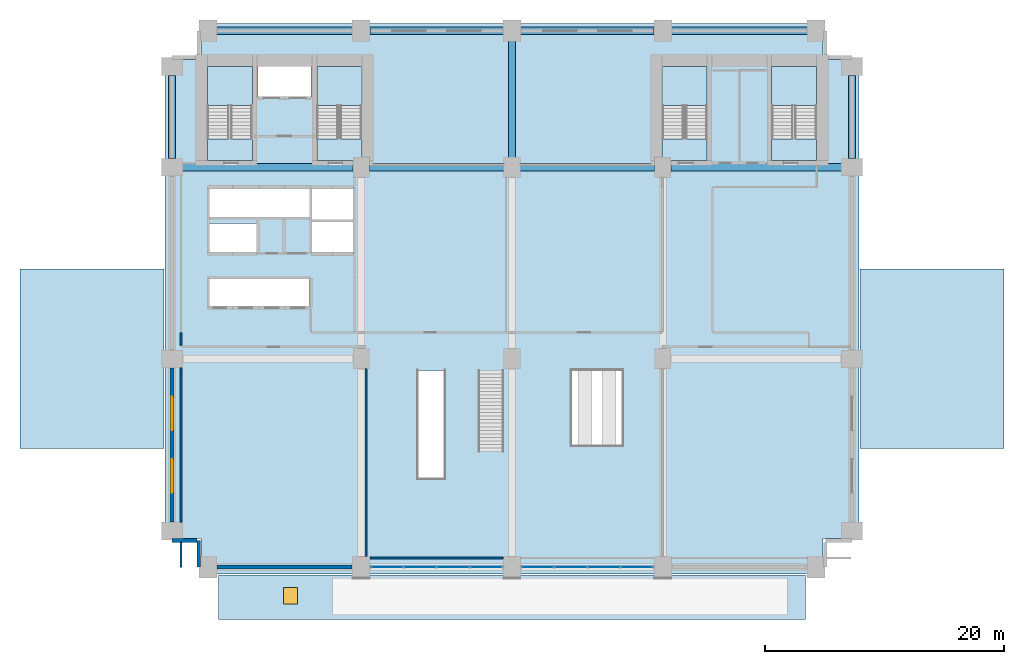
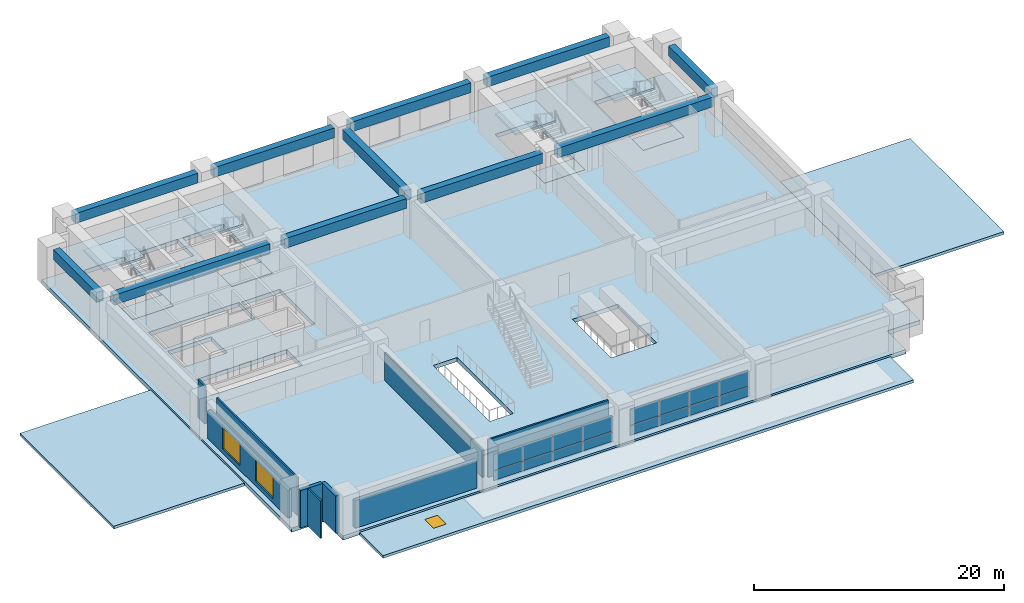
# One storey, part 4 of 11: 16 plates, 12 slabs, 11 beams, 9 walls, 3 windows, 3 openings, 6 elements without a shape of their own.
"""IFC4 building model written with IfcOpenShell, lengths in metres."""

from ifc_helpers import new_model, si_unit, direction, frame, frame_2d, origin, origin_2d, place, context, subcontext, project, spatial, polyline, rectangle, outline, extrude, material, layer, layer_set, material_profile, profile_set, type_object, element, fill, aggregate, save


model = new_model("IFC4")

# Units and contexts
model_context = context("Model", 3, precision=1e-05, world=origin(), true_north=direction((0.0, 1.0)))
body_context = subcontext(model_context, "Body", "Model", "MODEL_VIEW")
ifc_project = project(units=[si_unit("LENGTHUNIT", "METRE"), si_unit("AREAUNIT", "SQUARE_METRE"), si_unit("VOLUMEUNIT", "CUBIC_METRE"), si_unit("PLANEANGLEUNIT", "RADIAN"), si_unit("MASSUNIT", "GRAM", prefix="KILO")], contexts=[model_context])

# Site, building, storey
site_placement = place(None, origin())
site = spatial("IfcSite", under=ifc_project, at=site_placement, CompositionType="ELEMENT")
building_placement = place(site_placement, origin())
building = spatial("IfcBuilding", under=site, at=building_placement, Name="Sulina Concourse Tower", CompositionType="ELEMENT")
storey_placement = place(building_placement, frame((0.0, 0.0, 5.39990234375)))
storey = spatial("IfcBuildingStorey", under=building, at=storey_placement, Name="L01", CompositionType="ELEMENT", Elevation=5.39990234375)

# Beams
ifc_material_1 = material(Name="Concrete C60/75", Category="concrete")
ifc_material_profile = material_profile(ifc_material_1, rectangle(XDim=0.60009765625, YDim=0.949951171875, at=origin_2d()), Name="RC 600x950")
ifc_profile_set = profile_set([ifc_material_profile], Name="Concrete C60/75")
beam_type = type_object("IfcBeamType", Name="Basement & Podium Primary Beam 600x950", PredefinedType="BEAM", material=ifc_profile_set)
beam_1_placement = place(storey_placement, frame((4.330078125, 45.39990234375, 3.175048828125), z_axis=(1.0, 0.0, 0.0), x_axis=(0.0, 1.0, 0.0)))
element("IfcBeam", 1, at=beam_1_placement, inside=storey, type_object=beam_type, Name="PB-N1-L01", PredefinedType="BEAM", context=body_context, shape_type="SweptSolid", body=[
    extrude(rectangle(XDim=0.60009765625, YDim=0.949951171875, at=origin_2d()), origin(), (0.0, 0.0, 1.0), 11.33984375),
])
beam_2_placement = place(storey_placement, frame((1.330078125, 34.0, 3.175048828125), z_axis=(1.0, 0.0, 0.0), x_axis=(0.0, 1.0, 0.0)))
element("IfcBeam", 2, at=beam_2_placement, inside=storey, type_object=beam_type, Name="PB-C0-L01", PredefinedType="BEAM", context=body_context, shape_type="SweptSolid", body=[
    extrude(rectangle(XDim=0.60009765625, YDim=0.949951171875, at=origin_2d()), origin(), (0.0, 0.0, 1.0), 14.389892578125),
])
beam_3_placement = place(storey_placement, frame((17.1298828125, 45.39990234375, 3.175048828125), z_axis=(1.0, 0.0, 0.0), x_axis=(0.0, 1.0, 0.0)))
element("IfcBeam", 3, at=beam_3_placement, inside=storey, type_object=beam_type, Name="PB-N2-L01", PredefinedType="BEAM", context=body_context, shape_type="SweptSolid", body=[
    extrude(rectangle(XDim=0.60009765625, YDim=0.949951171875, at=origin_2d()), origin(), (0.0, 0.0, 1.0), 11.14013671875),
])
beam_4_placement = place(storey_placement, frame((17.080078125, 34.0, 3.175048828125), z_axis=(1.0, 0.0, 0.0), x_axis=(0.0, 1.0, 0.0)))
element("IfcBeam", 4, at=beam_4_placement, inside=storey, type_object=beam_type, Name="PB-C2-L01", PredefinedType="BEAM", context=body_context, shape_type="SweptSolid", body=[
    extrude(rectangle(XDim=0.60009765625, YDim=0.949951171875, at=origin_2d()), origin(), (0.0, 0.0, 1.0), 11.239990234375),
])
beam_5_placement = place(storey_placement, frame((29.72998046875, 45.39990234375, 3.175048828125), z_axis=(1.0, 0.0, 0.0), x_axis=(0.0, 1.0, 0.0)))
element("IfcBeam", 5, at=beam_5_placement, inside=storey, type_object=beam_type, Name="PB-N3-L01", PredefinedType="BEAM", context=body_context, shape_type="SweptSolid", body=[
    extrude(rectangle(XDim=0.60009765625, YDim=0.949951171875, at=origin_2d()), origin(), (0.0, 0.0, 1.0), 11.14013671875),
])
beam_6_placement = place(storey_placement, frame((29.679931640625, 34.0, 3.175048828125), z_axis=(1.0, 0.0, 0.0), x_axis=(0.0, 1.0, 0.0)))
element("IfcBeam", 6, at=beam_6_placement, inside=storey, type_object=beam_type, Name="PB-C3-L01", PredefinedType="BEAM", context=body_context, shape_type="SweptSolid", body=[
    extrude(rectangle(XDim=0.60009765625, YDim=0.949951171875, at=origin_2d()), origin(), (0.0, 0.0, 1.0), 11.239990234375),
])
beam_7_placement = place(storey_placement, frame((42.330078125, 45.39990234375, 3.175048828125), z_axis=(1.0, 0.0, 0.0), x_axis=(0.0, 1.0, 0.0)))
element("IfcBeam", 7, at=beam_7_placement, inside=storey, type_object=beam_type, Name="PB-N4-L01", PredefinedType="BEAM", context=body_context, shape_type="SweptSolid", body=[
    extrude(rectangle(XDim=0.60009765625, YDim=0.949951171875, at=origin_2d()), origin(), (0.0, 0.0, 1.0), 11.33984375),
])
beam_8_placement = place(storey_placement, frame((42.280029296875, 34.0, 3.175048828125), z_axis=(1.0, 0.0, 0.0), x_axis=(0.0, 1.0, 0.0)))
element("IfcBeam", 8, at=beam_8_placement, inside=storey, type_object=beam_type, Name="PB-C5-L01", PredefinedType="BEAM", context=body_context, shape_type="SweptSolid", body=[
    extrude(rectangle(XDim=0.60009765625, YDim=0.949951171875, at=origin_2d()), origin(), (0.0, 0.0, 1.0), 14.389892578125),
])
for number, where, z_axis, x_axis, name in (
    (9, (0.60009765625, 34.72998046875, 3.175048828125), (0.0, 1.0, 0.0), (-1.0, 0.0, 0.0), "PB-W3-L01"),
    (10, (57.39990234375, 34.72998046875, 3.175048828125), (0.0, 1.0, 0.0), (-1.0, 0.0, 0.0), "PB-E3-L01"),
):
    element("IfcBeam", number, at=place(storey_placement, frame(where, z_axis=z_axis, x_axis=x_axis)), inside=storey, type_object=beam_type, Name=name, PredefinedType="BEAM", context=body_context, shape_type="SweptSolid", body=[
        extrude(rectangle(XDim=0.60009765625, YDim=0.949951171875, at=origin_2d()), origin(), (0.0, 0.0, 1.0), 6.93994140625),
    ])
beam_9_placement = place(storey_placement, frame((29.0, 34.679931640625, 3.175048828125), z_axis=(0.0, 1.0, 0.0), x_axis=(-1.0, 0.0, 0.0)))
element("IfcBeam", 11, at=beam_9_placement, inside=storey, type_object=beam_type, Name="PB-NS2C-L01", PredefinedType="BEAM", context=body_context, shape_type="SweptSolid", body=[
    extrude(rectangle(XDim=0.60009765625, YDim=0.949951171875, at=origin_2d()), origin(), (0.0, 0.0, 1.0), 9.989990234375),
])

# Slabs
ifc_material_2 = material(Name="Concrete C50/60", Category="concrete")
ifc_layer_1 = layer(ifc_material_2, 0.199951171875)
ifc_layer_set_1 = layer_set([ifc_layer_1], Name="Concrete C50/60")
slab_type_1 = type_object("IfcSlabType", Name="Primary Core Stair Landing Slab 200mm", PredefinedType="LANDING", material=ifc_layer_set_1)
slab_1_placement = place(storey_placement, frame((0.0, 0.0, -0.199951171875)))
element("IfcSlab", 12, at=slab_1_placement, inside=storey, type_object=slab_type_1, Name="L01 ST-1 floor landing slab", PredefinedType="LANDING", context=body_context, shape_type="SweptSolid", body=[
    extrude(outline(polyline([(7.31005859375, 34.550048828125), (7.31005859375, 36.375), (3.550048828125, 36.375), (3.550048828125, 34.550048828125), (7.31005859375, 34.550048828125)])), origin(), (0.0, 0.0, 1.0), 0.199951171875),
])
slab_2_placement = place(storey_placement, frame((0.0, 0.0, -0.199951171875)))
element("IfcSlab", 13, at=slab_2_placement, inside=storey, type_object=slab_type_1, Name="L01 ST-2 floor landing slab", PredefinedType="LANDING", context=body_context, shape_type="SweptSolid", body=[
    extrude(outline(polyline([(16.449951171875, 34.550048828125), (16.449951171875, 36.375), (12.68994140625, 36.375), (12.68994140625, 34.550048828125), (16.449951171875, 34.550048828125)])), origin(), (0.0, 0.0, 1.0), 0.199951171875),
])
slab_3_placement = place(storey_placement, frame((0.0, 0.0, -0.199951171875)))
element("IfcSlab", 14, at=slab_3_placement, inside=storey, type_object=slab_type_1, Name="L01 ST-3 floor landing slab", PredefinedType="LANDING", context=body_context, shape_type="SweptSolid", body=[
    extrude(outline(polyline([(45.31005859375, 34.550048828125), (45.31005859375, 36.375), (41.550048828125, 36.375), (41.550048828125, 34.550048828125), (45.31005859375, 34.550048828125)])), origin(), (0.0, 0.0, 1.0), 0.199951171875),
])
slab_4_placement = place(storey_placement, frame((0.0, 0.0, -0.199951171875)))
element("IfcSlab", 15, at=slab_4_placement, inside=storey, type_object=slab_type_1, Name="L01 ST-4 floor landing slab", PredefinedType="LANDING", context=body_context, shape_type="SweptSolid", body=[
    extrude(outline(polyline([(54.449951171875, 34.550048828125), (54.449951171875, 36.375), (50.68994140625, 36.375), (50.68994140625, 34.550048828125), (54.449951171875, 34.550048828125)])), origin(), (0.0, 0.0, 1.0), 0.199951171875),
])

# Stair, slab
ifc_material_3 = material(Name="Concrete C50/60", Category="concrete")
stair_type_1 = type_object("IfcStairType", Name="Primary Core Dog-Leg Exit Stair 1800mm", PredefinedType="HALF_TURN_STAIR", material=ifc_material_3)
stair_1_placement = place(storey_placement, origin())
stair_1 = element("IfcStair", 16, at=stair_1_placement, inside=storey, type_object=stair_type_1, Name="L01 ST-1", PredefinedType="HALF_TURN_STAIR")
slab_5_placement = place(storey_placement, frame((0.0, 0.0, 1.8251953125)))
slab_5 = element("IfcSlab", 17, at=slab_5_placement, type_object=slab_type_1, Name="ST-1 landing 1", PredefinedType="LANDING", context=body_context, shape_type="SweptSolid", body=[
    extrude(outline(polyline([(7.304931640625, 39.175048828125), (7.304931640625, 42.425048828125), (3.554931640625, 42.425048828125), (3.554931640625, 39.175048828125), (7.304931640625, 39.175048828125)])), origin(), (0.0, 0.0, 1.0), 0.199951171875),
])
aggregate(stair_1, [slab_5])

stair_2_placement = place(storey_placement, origin())
stair_2 = element("IfcStair", 18, at=stair_2_placement, inside=storey, type_object=stair_type_1, Name="L01 ST-2", PredefinedType="HALF_TURN_STAIR")
slab_6_placement = place(storey_placement, frame((0.0, 0.0, 1.8251953125)))
slab_6 = element("IfcSlab", 19, at=slab_6_placement, type_object=slab_type_1, Name="ST-2 landing 1", PredefinedType="LANDING", context=body_context, shape_type="SweptSolid", body=[
    extrude(outline(polyline([(16.445068359375, 39.175048828125), (16.445068359375, 42.425048828125), (12.695068359375, 42.425048828125), (12.695068359375, 39.175048828125), (16.445068359375, 39.175048828125)])), origin(), (0.0, 0.0, 1.0), 0.199951171875),
])
aggregate(stair_2, [slab_6])

ifc_material_4 = material(Name="Concrete C50/60", Category="concrete")
stair_type_2 = type_object("IfcStairType", Name="Portal & Podium Core Exit Stair 1820mm", PredefinedType="HALF_TURN_STAIR", material=ifc_material_4)
stair_3_placement = place(storey_placement, origin())
stair_3 = element("IfcStair", 20, at=stair_3_placement, inside=storey, type_object=stair_type_2, Name="L01 ST-3", PredefinedType="HALF_TURN_STAIR")
slab_7_placement = place(storey_placement, frame((0.0, 0.0, 1.8251953125)))
slab_7 = element("IfcSlab", 21, at=slab_7_placement, type_object=slab_type_1, Name="ST-3 landing 1", PredefinedType="LANDING", context=body_context, shape_type="SweptSolid", body=[
    extrude(outline(polyline([(45.304931640625, 39.175048828125), (45.304931640625, 42.425048828125), (41.554931640625, 42.425048828125), (41.554931640625, 39.175048828125), (45.304931640625, 39.175048828125)])), origin(), (0.0, 0.0, 1.0), 0.199951171875),
])
aggregate(stair_3, [slab_7])

stair_4_placement = place(storey_placement, origin())
stair_4 = element("IfcStair", 22, at=stair_4_placement, inside=storey, type_object=stair_type_2, Name="L01 ST-4", PredefinedType="HALF_TURN_STAIR")
slab_8_placement = place(storey_placement, frame((0.0, 0.0, 1.8251953125)))
slab_8 = element("IfcSlab", 23, at=slab_8_placement, type_object=slab_type_1, Name="ST-4 landing 1", PredefinedType="LANDING", context=body_context, shape_type="SweptSolid", body=[
    extrude(outline(polyline([(54.445068359375, 39.175048828125), (54.445068359375, 42.425048828125), (50.695068359375, 42.425048828125), (50.695068359375, 39.175048828125), (54.445068359375, 39.175048828125)])), origin(), (0.0, 0.0, 1.0), 0.199951171875),
])
aggregate(stair_4, [slab_8])

# Slab, opening, window
ifc_material_5 = material(Name="Precast concrete C50/60", Category="concrete")
ifc_layer_2 = layer(ifc_material_5, 0.27001953125)
ifc_layer_set_2 = layer_set([ifc_layer_2], Name="Precast concrete C50/60")
slab_type_2 = type_object("IfcSlabType", Name="Station Canopy & Wing Step Roof Slab 270mm", PredefinedType="ROOF", material=ifc_layer_set_2)
slab_9_placement = place(storey_placement, frame((0.0, 0.0, -0.39990234375)))
slab_9 = element("IfcSlab", 24, at=slab_9_placement, inside=storey, type_object=slab_type_2, Name="L01 maintenance roof slab SL-ROOF-CANOPY-L01", PredefinedType="ROOF", context=body_context, shape_type="SweptSolid", body=[
    extrude(outline(polyline([(4.5, -3.800048828125), (53.5, -3.800048828125), (53.5, -0.050048828125), (4.5, -0.050048828125), (4.5, -3.800048828125)])), origin(), (0.0, 0.0, 1.0), 0.27001953125),
])
opening_1_placement = place(slab_9_placement, frame((10.5, -1.800048828125, 0.0)))
opening_1 = element("IfcOpeningElement", 25, at=opening_1_placement, cuts=slab_9, Name="Opening WN-78", PredefinedType="OPENING", context=body_context, shape_type="SweptSolid", body=[
    extrude(rectangle(XDim=1.199951171875, YDim=1.39990234375, at=origin_2d()), origin(), (0.0, 0.0, 1.0), 0.27001953125),
])
ifc_material_6 = material(Name="Anodised aluminium insulated hatch", Category="aluminium")
window_type_1 = type_object("IfcWindowType", Name="Insulated Roof Access Hatch 1200x1400", PartitioningType="SINGLE_PANEL", PredefinedType="SKYLIGHT", material=ifc_material_6)
window_1_placement = place(opening_1_placement, frame((0.0, 0.0, 0.219970703125)))
window_1 = element("IfcWindow", 26, at=window_1_placement, inside=storey, type_object=window_type_1, Name="ROOF ACCESS HATCH L01", OverallHeight=1.39990234375, OverallWidth=1.199951171875, PartitioningType="SINGLE_PANEL", PredefinedType="SKYLIGHT", context=body_context, shape_type="SweptSolid", body=[
    extrude(rectangle(XDim=1.199951171875, YDim=1.39990234375, at=origin_2d()), origin(), (0.0, 0.0, 1.0), 0.050048828125),
])
fill(opening_1, window_1)

# Slabs
slab_10_placement = place(storey_placement, frame((0.0, 0.0, -0.39990234375)))
element("IfcSlab", 27, at=slab_10_placement, inside=storey, type_object=slab_type_2, Name="L01 maintenance roof slab SL-ROOF-PLAT-W-L01", PredefinedType="ROOF", context=body_context, shape_type="SweptSolid", body=[
    extrude(outline(polyline([(-12.10009765625, 10.5), (-0.050048828125, 10.5), (-0.050048828125, 25.5), (-12.10009765625, 25.5), (-12.10009765625, 10.5)])), origin(), (0.0, 0.0, 1.0), 0.27001953125),
])
slab_11_placement = place(storey_placement, frame((0.0, 0.0, -0.39990234375)))
element("IfcSlab", 28, at=slab_11_placement, inside=storey, type_object=slab_type_2, Name="L01 maintenance roof slab SL-ROOF-PLAT-E-L01", PredefinedType="ROOF", context=body_context, shape_type="SweptSolid", body=[
    extrude(outline(polyline([(58.050048828125, 10.5), (70.10009765625, 10.5), (70.10009765625, 25.5), (58.050048828125, 25.5), (58.050048828125, 10.5)])), origin(), (0.0, 0.0, 1.0), 0.27001953125),
])
ifc_material_7 = material(Name="Concrete C60/75", Category="concrete")
ifc_layer_3 = layer(ifc_material_7, 0.39990234375)
ifc_layer_set_3 = layer_set([ifc_layer_3], Name="Concrete C60/75")
slab_type_3 = type_object("IfcSlabType", Name="Station Concourse & Transfer Slab 400mm", PredefinedType="FLOOR", material=ifc_layer_set_3)
slab_12_placement = place(storey_placement, frame((0.0, 0.0, -0.39990234375)))
element("IfcSlab", 29, at=slab_12_placement, inside=storey, type_object=slab_type_3, Name="L01 structural floor slab", PredefinedType="FLOOR", context=body_context, shape_type="SweptSolid", body=[
    extrude(outline(polyline([(3.0, 0.0), (55.0, 0.0), (55.0, 3.0), (58.0, 3.0), (58.0, 43.0), (55.0, 43.0), (55.0, 46.0), (3.0, 46.0), (3.0, 43.0), (0.0, 43.0), (0.0, 3.0), (3.0, 3.0), (3.0, 0.0)]), holes=[polyline([(7.31005859375, 34.550048828125), (7.31005859375, 42.429931640625), (3.550048828125, 42.429931640625), (3.550048828125, 34.550048828125), (7.31005859375, 34.550048828125)]), polyline([(16.449951171875, 34.550048828125), (16.449951171875, 42.429931640625), (12.68994140625, 42.429931640625), (12.68994140625, 34.550048828125), (16.449951171875, 34.550048828125)]), polyline([(45.31005859375, 34.550048828125), (45.31005859375, 42.429931640625), (41.550048828125, 42.429931640625), (41.550048828125, 34.550048828125), (45.31005859375, 34.550048828125)]), polyline([(54.449951171875, 34.550048828125), (54.449951171875, 42.429931640625), (50.68994140625, 42.429931640625), (50.68994140625, 34.550048828125), (54.449951171875, 34.550048828125)]), polyline([(21.14990234375, 8.0), (23.35009765625, 8.0), (23.35009765625, 17.0), (21.14990234375, 17.0), (21.14990234375, 8.0)]), polyline([(34.0, 10.800048828125), (38.199951171875, 10.800048828125), (38.199951171875, 17.0), (34.0, 17.0), (34.0, 10.800048828125)]), polyline([(7.780029296875, 39.830078125), (12.219970703125, 39.830078125), (12.219970703125, 42.449951171875), (7.780029296875, 42.449951171875), (7.780029296875, 39.830078125)]), polyline([(3.739990234375, 26.780029296875), (7.77001953125, 26.780029296875), (7.77001953125, 29.320068359375), (3.739990234375, 29.320068359375), (3.739990234375, 26.780029296875)]), polyline([(3.739990234375, 29.780029296875), (12.10009765625, 29.780029296875), (12.10009765625, 32.3701171875), (3.739990234375, 32.3701171875), (3.739990234375, 29.780029296875)]), polyline([(3.739990234375, 22.280029296875), (12.10009765625, 22.280029296875), (12.10009765625, 24.77001953125), (3.739990234375, 24.77001953125), (3.739990234375, 22.280029296875)]), polyline([(12.280029296875, 26.780029296875), (15.85009765625, 26.780029296875), (15.85009765625, 32.320068359375), (12.280029296875, 32.320068359375), (12.280029296875, 26.780029296875)])]), origin(), (0.0, 0.0, 1.0), 0.39990234375),
])

# Curtain wall, plates
ifc_material_8 = material(Name="Anodised bronze aluminium", Category="aluminium")
ifc_layer_4 = layer(ifc_material_8, 0.239990234375)
ifc_layer_set_4 = layer_set([ifc_layer_4], Name="Anodised bronze aluminium")
curtain_wall_type = type_object("IfcCurtainWallType", Name="Station Concourse Curtain Wall System", PredefinedType="NOTDEFINED", material=ifc_layer_set_4)
curtain_wall_1_placement = place(storey_placement, origin())
curtain_wall_1 = element("IfcCurtainWall", 30, at=curtain_wall_1_placement, inside=storey, type_object=curtain_wall_type, Name="L01 glazed curtain wall S2", PredefinedType="NOTDEFINED")
ifc_material_9 = material(Name="Low-E laminated concourse glazing", Category="glass")
ifc_layer_5 = layer(ifc_material_9, 0.035888671875)
ifc_layer_set_5 = layer_set([ifc_layer_5], Name="Low-E laminated concourse glazing")
plate_type = type_object("IfcPlateType", Name="Station Concourse Curtain Wall System Glazed Panel 36mm", PredefinedType="CURTAIN_PANEL", material=ifc_layer_set_5)
plate_1_placement = place(storey_placement, frame((26.828857421875, 0.60009765625, 0.074951171875), z_axis=(0.0, 0.0, 1.0), x_axis=(-1.0, 0.0, 0.0)))
plate_1 = element("IfcPlate", 31, at=plate_1_placement, type_object=plate_type, Name="CW-01 panel 1.1", PredefinedType="CURTAIN_PANEL", context=body_context, shape_type="SweptSolid", body=[
    extrude(rectangle(XDim=2.652587890625, YDim=0.035888671875, at=origin_2d()), origin(), (0.0, 0.0, 1.0), 0.91357421875),
])
plate_2_placement = place(storey_placement, frame((26.828857421875, 0.60009765625, 1.0634765625), z_axis=(0.0, 0.0, 1.0), x_axis=(-1.0, 0.0, 0.0)))
plate_2 = element("IfcPlate", 32, at=plate_2_placement, type_object=plate_type, Name="CW-01 panel 1.2", PredefinedType="CURTAIN_PANEL", context=body_context, shape_type="SweptSolid", body=[
    extrude(rectangle(XDim=2.652587890625, YDim=0.035888671875, at=origin_2d()), origin(), (0.0, 0.0, 1.0), 1.5615234375),
])
plate_3_placement = place(storey_placement, frame((24.08251953125, 0.60009765625, 0.074951171875), z_axis=(0.0, 0.0, 1.0), x_axis=(-1.0, 0.0, 0.0)))
plate_3 = element("IfcPlate", 33, at=plate_3_placement, type_object=plate_type, Name="CW-01 panel 2.1", PredefinedType="CURTAIN_PANEL", context=body_context, shape_type="SweptSolid", body=[
    extrude(rectangle(XDim=2.68994140625, YDim=0.035888671875, at=origin_2d()), origin(), (0.0, 0.0, 1.0), 0.91357421875),
])
plate_4_placement = place(storey_placement, frame((24.08251953125, 0.60009765625, 1.0634765625), z_axis=(0.0, 0.0, 1.0), x_axis=(-1.0, 0.0, 0.0)))
plate_4 = element("IfcPlate", 34, at=plate_4_placement, type_object=plate_type, Name="CW-01 panel 2.2", PredefinedType="CURTAIN_PANEL", context=body_context, shape_type="SweptSolid", body=[
    extrude(rectangle(XDim=2.68994140625, YDim=0.035888671875, at=origin_2d()), origin(), (0.0, 0.0, 1.0), 1.5615234375),
])
plate_5_placement = place(storey_placement, frame((21.3173828125, 0.60009765625, 0.074951171875), z_axis=(0.0, 0.0, 1.0), x_axis=(-1.0, 0.0, 0.0)))
plate_5 = element("IfcPlate", 35, at=plate_5_placement, type_object=plate_type, Name="CW-01 panel 3.1", PredefinedType="CURTAIN_PANEL", context=body_context, shape_type="SweptSolid", body=[
    extrude(rectangle(XDim=2.68994140625, YDim=0.035888671875, at=origin_2d()), origin(), (0.0, 0.0, 1.0), 0.91357421875),
])
plate_6_placement = place(storey_placement, frame((21.3173828125, 0.60009765625, 1.0634765625), z_axis=(0.0, 0.0, 1.0), x_axis=(-1.0, 0.0, 0.0)))
plate_6 = element("IfcPlate", 36, at=plate_6_placement, type_object=plate_type, Name="CW-01 panel 3.2", PredefinedType="CURTAIN_PANEL", context=body_context, shape_type="SweptSolid", body=[
    extrude(rectangle(XDim=2.68994140625, YDim=0.035888671875, at=origin_2d()), origin(), (0.0, 0.0, 1.0), 1.5615234375),
])
plate_7_placement = place(storey_placement, frame((18.5712890625, 0.60009765625, 0.074951171875), z_axis=(0.0, 0.0, 1.0), x_axis=(-1.0, 0.0, 0.0)))
plate_7 = element("IfcPlate", 37, at=plate_7_placement, type_object=plate_type, Name="CW-01 panel 4.1", PredefinedType="CURTAIN_PANEL", context=body_context, shape_type="SweptSolid", body=[
    extrude(rectangle(XDim=2.652587890625, YDim=0.035888671875, at=origin_2d()), origin(), (0.0, 0.0, 1.0), 0.91357421875),
])
plate_8_placement = place(storey_placement, frame((18.5712890625, 0.60009765625, 1.0634765625), z_axis=(0.0, 0.0, 1.0), x_axis=(-1.0, 0.0, 0.0)))
plate_8 = element("IfcPlate", 38, at=plate_8_placement, type_object=plate_type, Name="CW-01 panel 4.2", PredefinedType="CURTAIN_PANEL", context=body_context, shape_type="SweptSolid", body=[
    extrude(rectangle(XDim=2.652587890625, YDim=0.035888671875, at=origin_2d()), origin(), (0.0, 0.0, 1.0), 1.5615234375),
])
aggregate(curtain_wall_1, [plate_1, plate_2, plate_3, plate_4, plate_5, plate_6, plate_7, plate_8])

curtain_wall_2_placement = place(storey_placement, origin())
curtain_wall_2 = element("IfcCurtainWall", 39, at=curtain_wall_2_placement, inside=storey, type_object=curtain_wall_type, Name="L01 glazed curtain wall S3", PredefinedType="NOTDEFINED")
plate_9_placement = place(storey_placement, frame((39.4287109375, 0.60009765625, 0.074951171875), z_axis=(0.0, 0.0, 1.0), x_axis=(-1.0, 0.0, 0.0)))
plate_9 = element("IfcPlate", 40, at=plate_9_placement, type_object=plate_type, Name="CW-01 panel 1.1", PredefinedType="CURTAIN_PANEL", context=body_context, shape_type="SweptSolid", body=[
    extrude(rectangle(XDim=2.652587890625, YDim=0.035888671875, at=origin_2d()), origin(), (0.0, 0.0, 1.0), 0.91357421875),
])
plate_10_placement = place(storey_placement, frame((39.4287109375, 0.60009765625, 1.0634765625), z_axis=(0.0, 0.0, 1.0), x_axis=(-1.0, 0.0, 0.0)))
plate_10 = element("IfcPlate", 41, at=plate_10_placement, type_object=plate_type, Name="CW-01 panel 1.2", PredefinedType="CURTAIN_PANEL", context=body_context, shape_type="SweptSolid", body=[
    extrude(rectangle(XDim=2.652587890625, YDim=0.035888671875, at=origin_2d()), origin(), (0.0, 0.0, 1.0), 1.5615234375),
])
plate_11_placement = place(storey_placement, frame((36.6826171875, 0.60009765625, 0.074951171875), z_axis=(0.0, 0.0, 1.0), x_axis=(-1.0, 0.0, 0.0)))
plate_11 = element("IfcPlate", 42, at=plate_11_placement, type_object=plate_type, Name="CW-01 panel 2.1", PredefinedType="CURTAIN_PANEL", context=body_context, shape_type="SweptSolid", body=[
    extrude(rectangle(XDim=2.68994140625, YDim=0.035888671875, at=origin_2d()), origin(), (0.0, 0.0, 1.0), 0.91357421875),
])
plate_12_placement = place(storey_placement, frame((36.6826171875, 0.60009765625, 1.0634765625), z_axis=(0.0, 0.0, 1.0), x_axis=(-1.0, 0.0, 0.0)))
plate_12 = element("IfcPlate", 43, at=plate_12_placement, type_object=plate_type, Name="CW-01 panel 2.2", PredefinedType="CURTAIN_PANEL", context=body_context, shape_type="SweptSolid", body=[
    extrude(rectangle(XDim=2.68994140625, YDim=0.035888671875, at=origin_2d()), origin(), (0.0, 0.0, 1.0), 1.5615234375),
])
plate_13_placement = place(storey_placement, frame((33.91748046875, 0.60009765625, 0.074951171875), z_axis=(0.0, 0.0, 1.0), x_axis=(-1.0, 0.0, 0.0)))
plate_13 = element("IfcPlate", 44, at=plate_13_placement, type_object=plate_type, Name="CW-01 panel 3.1", PredefinedType="CURTAIN_PANEL", context=body_context, shape_type="SweptSolid", body=[
    extrude(rectangle(XDim=2.68994140625, YDim=0.035888671875, at=origin_2d()), origin(), (0.0, 0.0, 1.0), 0.91357421875),
])
plate_14_placement = place(storey_placement, frame((33.91748046875, 0.60009765625, 1.0634765625), z_axis=(0.0, 0.0, 1.0), x_axis=(-1.0, 0.0, 0.0)))
plate_14 = element("IfcPlate", 45, at=plate_14_placement, type_object=plate_type, Name="CW-01 panel 3.2", PredefinedType="CURTAIN_PANEL", context=body_context, shape_type="SweptSolid", body=[
    extrude(rectangle(XDim=2.68994140625, YDim=0.035888671875, at=origin_2d()), origin(), (0.0, 0.0, 1.0), 1.5615234375),
])
plate_15_placement = place(storey_placement, frame((31.171142578125, 0.60009765625, 0.074951171875), z_axis=(0.0, 0.0, 1.0), x_axis=(-1.0, 0.0, 0.0)))
plate_15 = element("IfcPlate", 46, at=plate_15_placement, type_object=plate_type, Name="CW-01 panel 4.1", PredefinedType="CURTAIN_PANEL", context=body_context, shape_type="SweptSolid", body=[
    extrude(rectangle(XDim=2.652587890625, YDim=0.035888671875, at=origin_2d()), origin(), (0.0, 0.0, 1.0), 0.91357421875),
])
plate_16_placement = place(storey_placement, frame((31.171142578125, 0.60009765625, 1.0634765625), z_axis=(0.0, 0.0, 1.0), x_axis=(-1.0, 0.0, 0.0)))
plate_16 = element("IfcPlate", 47, at=plate_16_placement, type_object=plate_type, Name="CW-01 panel 4.2", PredefinedType="CURTAIN_PANEL", context=body_context, shape_type="SweptSolid", body=[
    extrude(rectangle(XDim=2.652587890625, YDim=0.035888671875, at=origin_2d()), origin(), (0.0, 0.0, 1.0), 1.5615234375),
])
aggregate(curtain_wall_2, [plate_9, plate_10, plate_11, plate_12, plate_13, plate_14, plate_15, plate_16])

# Walls
ifc_material_10 = material(Name="Gypsum board on steel stud", Category="steel")
ifc_layer_6 = layer(ifc_material_10, 0.14990234375)
ifc_layer_set_6 = layer_set([ifc_layer_6], Name="Gypsum board on steel stud")
wall_type_1 = type_object("IfcWallType", Name="Inter-Tenancy Acoustic Partition 150mm", PredefinedType="PARTITIONING", material=ifc_layer_set_6)
wall_1_placement = place(storey_placement, frame((17.14990234375, 1.35009765625, 0.0), z_axis=(0.0, 0.0, 1.0), x_axis=(1.0, 0.0, 0.0)))
element("IfcWall", 48, at=wall_1_placement, inside=storey, type_object=wall_type_1, Name="L01 interior partition 001", PredefinedType="PARTITIONING", context=body_context, shape_type="SweptSolid", body=[
    extrude(rectangle(XDim=11.10009765625, YDim=0.14990234375, at=frame_2d((5.550048828125, 0.0))), origin(), (0.0, 0.0, 1.0), 3.650146484375),
])
wall_2_placement = place(storey_placement, frame((1.35009765625, 0.60009765625, 0.0), z_axis=(0.0, 0.0, 1.0), x_axis=(0.0, 1.0, 0.0)))
element("IfcWall", 49, at=wall_2_placement, inside=storey, type_object=wall_type_1, Name="L01 interior partition 020", PredefinedType="PARTITIONING", context=body_context, shape_type="SweptSolid", body=[
    extrude(rectangle(XDim=2.06982421875, YDim=0.14990234375, at=frame_2d((1.034912109375, 0.0))), origin(), (0.0, 0.0, 1.0), 3.650146484375),
])
wall_3_placement = place(storey_placement, frame((1.35009765625, 4.35009765625, 0.0), z_axis=(0.0, 0.0, 1.0), x_axis=(0.0, 1.0, 0.0)))
element("IfcWall", 50, at=wall_3_placement, inside=storey, type_object=wall_type_1, Name="L01 interior partition 021", PredefinedType="PARTITIONING", context=body_context, shape_type="SweptSolid", body=[
    extrude(rectangle(XDim=12.89990234375, YDim=0.14990234375, at=frame_2d((6.449951171875, 0.0))), origin(), (0.0, 0.0, 1.0), 3.650146484375),
])
wall_4_placement = place(storey_placement, frame((16.800048828125, 1.5, 0.0), z_axis=(0.0, 0.0, 1.0), x_axis=(0.0, 1.0, 0.0)))
element("IfcWall", 51, at=wall_4_placement, inside=storey, type_object=wall_type_1, Name="L01 interior partition 029", PredefinedType="PARTITIONING", context=body_context, shape_type="SweptSolid", body=[
    extrude(rectangle(XDim=15.64990234375, YDim=0.14990234375, at=frame_2d((7.824951171875, 0.0))), origin(), (0.0, 0.0, 1.0), 2.695068359375),
])
ifc_material_11 = material(Name="Precast concrete C50/60", Category="concrete")
ifc_layer_7 = layer(ifc_material_11, 0.320068359375)
ifc_layer_set_7 = layer_set([ifc_layer_7], Name="Precast concrete C50/60")
wall_type_2 = type_object("IfcWallType", Name="Lower Precast Masonry-Frame Facade Wall 320mm", PredefinedType="SOLIDWALL", material=ifc_layer_set_7)
wall_5_placement = place(storey_placement, frame((15.6298828125, 0.60009765625, 0.0), z_axis=(0.0, 0.0, 1.0), x_axis=(-1.0, 0.0, 0.0)))
element("IfcWall", 52, at=wall_5_placement, inside=storey, type_object=wall_type_2, Name="L01 exterior precast wall S1", PredefinedType="SOLIDWALL", context=body_context, shape_type="SweptSolid", body=[
    extrude(rectangle(XDim=11.259765625, YDim=0.320068359375, at=frame_2d((5.6298828125, 0.0))), origin(), (0.0, 0.0, 1.0), 2.7001953125),
])

# Wall, openings, windows
wall_6_placement = place(storey_placement, frame((0.60009765625, 4.3701171875, 0.0), z_axis=(0.0, 0.0, 1.0), x_axis=(0.0, 1.0, 0.0)))
wall_6 = element("IfcWall", 53, at=wall_6_placement, inside=storey, type_object=wall_type_2, Name="L01 exterior precast wall W1", PredefinedType="SOLIDWALL", context=body_context, shape_type="SweptSolid", body=[
    extrude(rectangle(XDim=12.85986328125, YDim=0.320068359375, at=frame_2d((6.429931640625, 0.0))), origin(), (0.0, 0.0, 1.0), 2.7001953125),
])
opening_2_placement = place(wall_6_placement, frame((2.419921875, 0.0, 0.449951171875)))
opening_2 = element("IfcOpeningElement", 54, at=opening_2_placement, cuts=wall_6, Name="Opening WN-83", PredefinedType="OPENING", context=body_context, shape_type="SweptSolid", body=[
    extrude(rectangle(XDim=2.800048828125, YDim=2.10009765625, at=frame_2d((1.39990234375, 1.050048828125))), frame((0.0, 0.169921875, 0.0), z_axis=(0.0, -1.0, 0.0), x_axis=(1.0, 0.0, 0.0)), (0.0, 0.0, 1.0), 0.340087890625),
])
opening_3_placement = place(wall_6_placement, frame((7.639892578125, 0.0, 0.449951171875)))
opening_3 = element("IfcOpeningElement", 55, at=opening_3_placement, cuts=wall_6, Name="Opening WN-83", PredefinedType="OPENING", context=body_context, shape_type="SweptSolid", body=[
    extrude(rectangle(XDim=2.800048828125, YDim=2.10009765625, at=frame_2d((1.39990234375, 1.050048828125))), frame((0.0, 0.169921875, 0.0), z_axis=(0.0, -1.0, 0.0), x_axis=(1.0, 0.0, 0.0)), (0.0, 0.0, 1.0), 0.340087890625),
])
ifc_material_12 = material(Name="Low-E solar double glazing in bronze aluminium", Category="aluminium")
window_type_2 = type_object("IfcWindowType", Name="Station Podium Clerestory Window 2800x2100", PartitioningType="TRIPLE_PANEL_VERTICAL", PredefinedType="WINDOW", material=ifc_material_12)
window_2_placement = place(opening_2_placement, origin())
window_2 = element("IfcWindow", 56, at=window_2_placement, inside=storey, type_object=window_type_2, Name="L01 punched window W1-1", OverallHeight=2.10009765625, OverallWidth=2.800048828125, PartitioningType="SINGLE_PANEL", PredefinedType="WINDOW", context=body_context, shape_type="SweptSolid", body=[
    extrude(rectangle(XDim=2.800048828125, YDim=2.10009765625, at=frame_2d((1.39990234375, 1.050048828125))), frame((0.0, 0.030029296875, 0.0), z_axis=(0.0, -1.0, 0.0), x_axis=(1.0, 0.0, 0.0)), (0.0, 0.0, 1.0), 0.06005859375),
])
fill(opening_2, window_2)
window_3_placement = place(opening_3_placement, origin())
window_3 = element("IfcWindow", 57, at=window_3_placement, inside=storey, type_object=window_type_2, Name="L01 punched window W1-2", OverallHeight=2.10009765625, OverallWidth=2.800048828125, PartitioningType="SINGLE_PANEL", PredefinedType="WINDOW", context=body_context, shape_type="SweptSolid", body=[
    extrude(rectangle(XDim=2.800048828125, YDim=2.10009765625, at=frame_2d((1.39990234375, 1.050048828125))), frame((0.0, 0.030029296875, 0.0), z_axis=(0.0, -1.0, 0.0), x_axis=(1.0, 0.0, 0.0)), (0.0, 0.0, 1.0), 0.06005859375),
])
fill(opening_3, window_3)

# Walls
wall_7_placement = place(storey_placement, frame((2.830078125, 0.60009765625, 0.0), z_axis=(0.0, 0.0, 1.0), x_axis=(0.0, 1.0, 0.0)))
element("IfcWall", 58, at=wall_7_placement, inside=storey, type_object=wall_type_2, Name="L01 exterior precast wall CSW1", PredefinedType="SOLIDWALL", context=body_context, shape_type="SweptSolid", body=[
    extrude(rectangle(XDim=2.22998046875, YDim=0.320068359375, at=frame_2d((1.114990234375, 0.0))), origin(), (0.0, 0.0, 1.0), 3.650146484375),
])
wall_8_placement = place(storey_placement, frame((2.6650390625, 2.830078125, 0.0), z_axis=(0.0, 0.0, 1.0), x_axis=(-1.0, 0.0, 0.0)))
element("IfcWall", 59, at=wall_8_placement, inside=storey, type_object=wall_type_2, Name="L01 exterior precast wall CSW2", PredefinedType="SOLIDWALL", context=body_context, shape_type="SweptSolid", body=[
    extrude(rectangle(XDim=2.06494140625, YDim=0.320068359375, at=frame_2d((1.032470703125, 0.0))), origin(), (0.0, 0.0, 1.0), 3.650146484375),
])
ifc_material_13 = material(Name="Gypsum board on steel stud", Category="steel")
ifc_layer_8 = layer(ifc_material_13, 0.179931640625)
ifc_layer_set_8 = layer_set([ifc_layer_8], Name="Gypsum board on steel stud")
wall_type_3 = type_object("IfcWallType", Name="Protected Corridor & Riser Partition 180mm", PredefinedType="PARTITIONING", material=ifc_layer_set_8)
wall_9_placement = place(storey_placement, frame((1.35009765625, 19.090087890625, 0.0), z_axis=(0.0, 0.0, 1.0), x_axis=(0.0, 1.0, 0.0)))
element("IfcWall", 60, at=wall_9_placement, inside=storey, type_object=wall_type_3, Name="L01 interior partition 022", PredefinedType="PARTITIONING", context=body_context, shape_type="SweptSolid", body=[
    extrude(rectangle(XDim=1.10986328125, YDim=0.179931640625, at=frame_2d((0.554931640625, 0.0))), origin(), (0.0, 0.0, 1.0), 3.650146484375),
])

save(model, "model.ifc")
